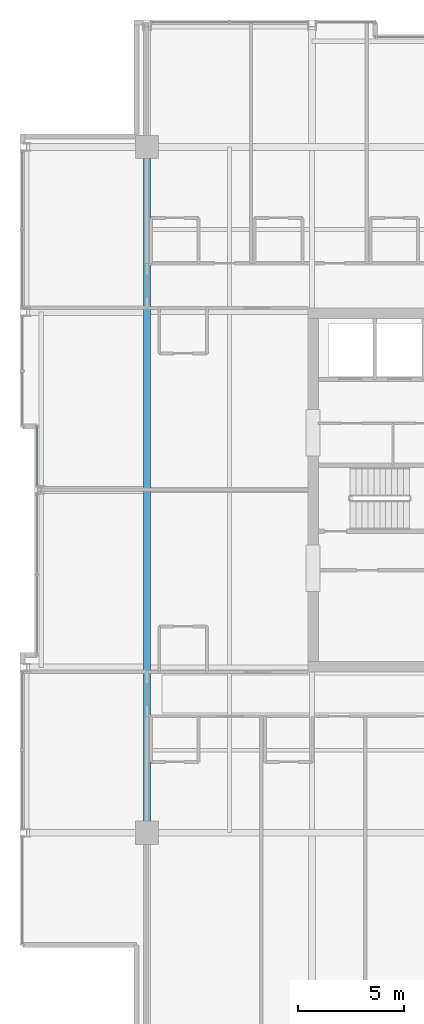
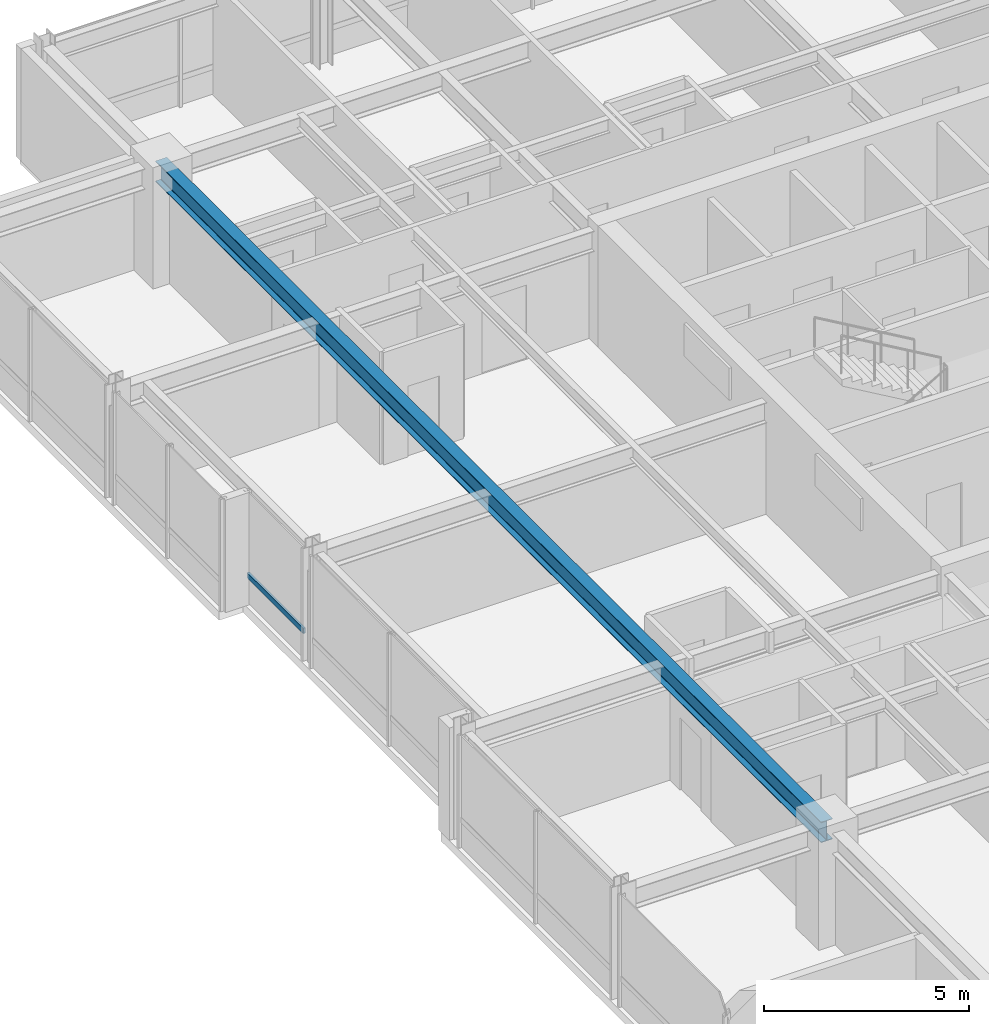
# One storey, part 10 of 34: 1 beam, 1 member, 1 element without a shape of its own.
"""IFC4 building model written with IfcOpenShell, lengths in metres."""

from ifc_helpers import new_model, si_unit, direction, frame, origin, origin_2d, place, context, subcontext, project, spatial, hollow_rectangle, i_section, extrude, material, layer, layer_set, material_profile, profile_set, type_object, element, aggregate, save


model = new_model("IFC4")

# Units and contexts
model_context = context("Model", 3, precision=1e-05, world=origin(), true_north=direction((0.0, 1.0)))
body_context = subcontext(model_context, "Body", "Model", "MODEL_VIEW")
ifc_project = project(units=[si_unit("LENGTHUNIT", "METRE"), si_unit("AREAUNIT", "SQUARE_METRE"), si_unit("VOLUMEUNIT", "CUBIC_METRE"), si_unit("PLANEANGLEUNIT", "RADIAN"), si_unit("MASSUNIT", "GRAM", prefix="KILO")], contexts=[model_context])

# Site, building, storey
site_placement = place(None, origin())
site = spatial("IfcSite", under=ifc_project, at=site_placement, CompositionType="ELEMENT")
building_placement = place(site_placement, origin())
building = spatial("IfcBuilding", under=site, at=building_placement, Name="Drelvath Grand Hotel", CompositionType="ELEMENT")
storey_placement = place(building_placement, frame((0.0, 0.0, 208.699951171875)))
storey = spatial("IfcBuildingStorey", under=building, at=storey_placement, Name="L54", CompositionType="ELEMENT", Elevation=208.699951171875)

# Curtain wall, member
ifc_material_1 = material(Name="Platinum-Mist Anodised Aluminium Frame", Category="aluminium")
ifc_layer = layer(ifc_material_1, 0.199951171875)
ifc_layer_set = layer_set([ifc_layer], Name="Platinum-Mist Anodised Aluminium Frame")
curtain_wall_type = type_object("IfcCurtainWallType", Name="Stick Curtain Wall CW-05 Platinum Mist High-Rise", PredefinedType="NOTDEFINED", material=ifc_layer_set)
curtain_wall_placement = place(storey_placement, origin())
curtain_wall = element("IfcCurtainWall", 1, at=curtain_wall_placement, inside=storey, type_object=curtain_wall_type, Name="L54 CW-05 Curtain Wall CW05-L54-WM2", PredefinedType="NOTDEFINED")
ifc_material_profile_1 = material_profile(ifc_material_1, hollow_rectangle(XDim=0.06494140625, YDim=0.159912109375, WallThickness=0.00390625, at=origin_2d()), Name="HSS160X65X4")
ifc_profile_set_1 = profile_set([ifc_material_profile_1], Name="Platinum-Mist Anodised Aluminium Frame")
member_type = type_object("IfcMemberType", Name="Curtain Wall Horizontal Transom CW-05 HSS160X65X4", PredefinedType="USERDEFINED", material=ifc_profile_set_1)
member_placement = place(storey_placement, frame((-21.39990234375, 27.225341796875, 0.8349609375), z_axis=(0.0, 1.0, 0.0), x_axis=(-1.0, 0.0, 0.0)))
member = element("IfcMember", 2, at=member_placement, type_object=member_type, Name="CW05-L54-WM2 Sill Transom", ObjectType="TRANSOM", PredefinedType="USERDEFINED", context=body_context, shape_type="SweptSolid", body=[
    extrude(hollow_rectangle(XDim=0.06494140625, YDim=0.159912109375, WallThickness=0.00390625, at=origin_2d()), origin(), (0.0, 0.0, 1.0), 2.734619140625),
])
aggregate(curtain_wall, [member])

# Beam
ifc_material_2 = material(Name="Steel ASTM A992 Gr 50", Category="steel")
ifc_material_profile_2 = material_profile(ifc_material_2, i_section(OverallWidth=0.323974609375, OverallDepth=0.611083984375, WebThickness=0.0126953125, FlangeThickness=0.01904296875, FilletRadius=0.02197265625, at=origin_2d()), Name="W24X104")
ifc_profile_set_2 = profile_set([ifc_material_profile_2], Name="Steel ASTM A992 Gr 50")
beam_type = type_object("IfcBeamType", Name="Primary Floor Girder W24X104", PredefinedType="BEAM", material=ifc_profile_set_2)
beam_placement = place(storey_placement, frame((-16.199951171875, 10.800048828125, 3.034423828125), z_axis=(0.0, 1.0, 0.0), x_axis=(-1.0, 0.0, 0.0)))
element("IfcBeam", 3, at=beam_placement, inside=storey, type_object=beam_type, Name="L54 Mega Ring Girder West", PredefinedType="BEAM", context=body_context, shape_type="SweptSolid", body=[
    extrude(i_section(OverallWidth=0.323974609375, OverallDepth=0.611083984375, WebThickness=0.0126953125, FlangeThickness=0.01904296875, FilletRadius=0.02197265625, at=origin_2d()), origin(), (0.0, 0.0, 1.0), 32.39990234375),
])

save(model, "model.ifc")
